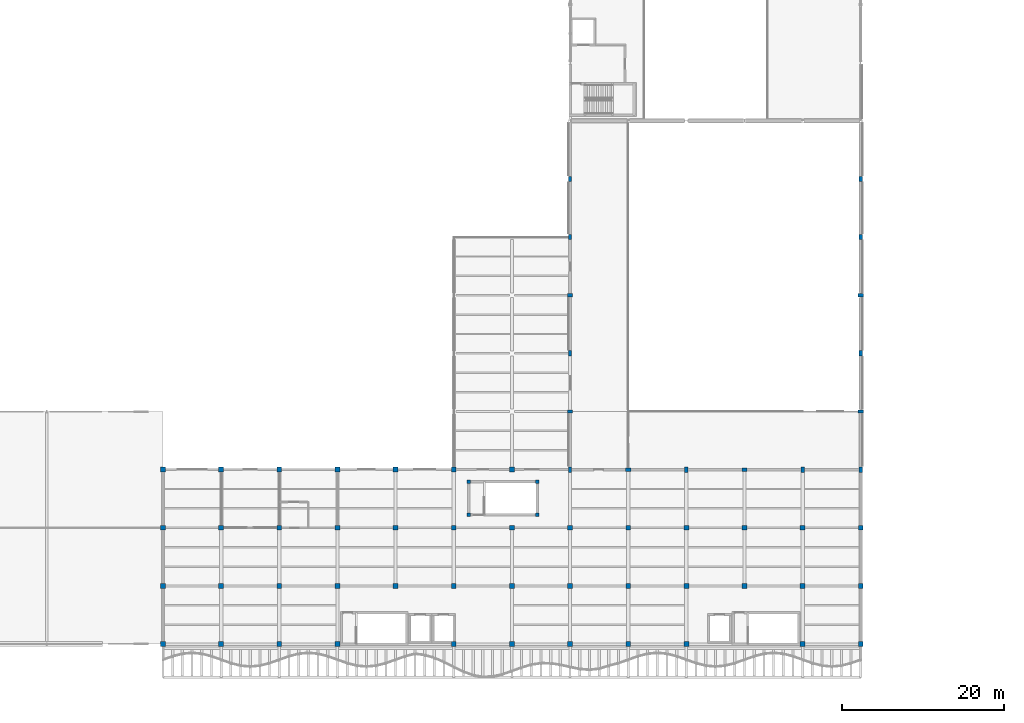
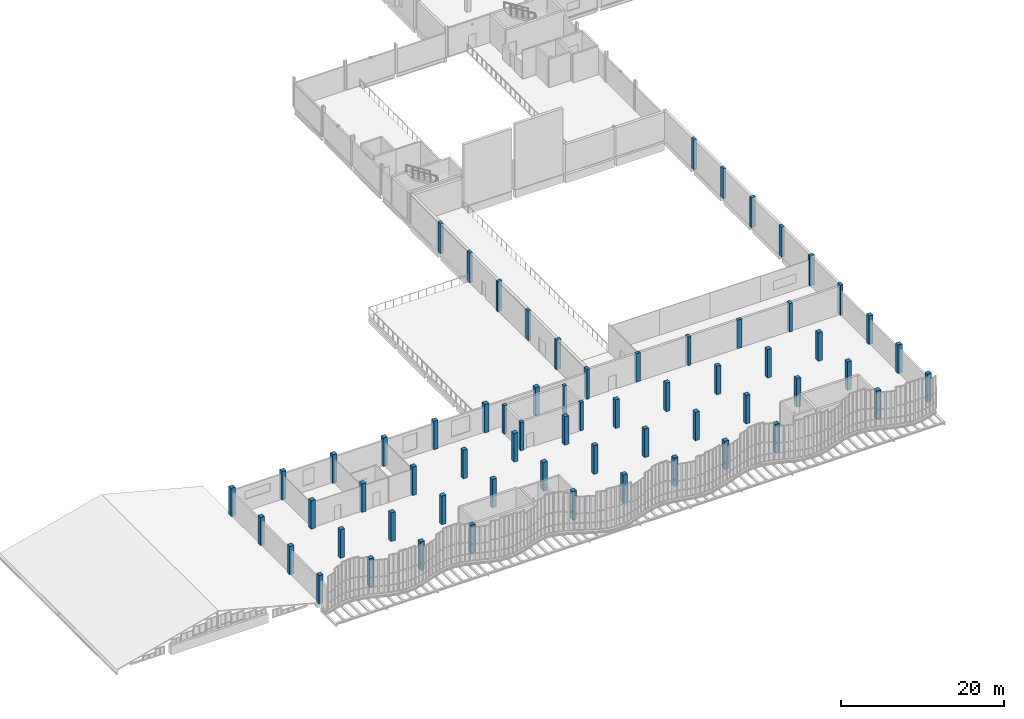
# One storey, part 1 of 76: 64 columns.
"""IFC4 building model written with IfcOpenShell, lengths in metres."""

from ifc_helpers import new_model, si_unit, direction, frame, origin, origin_2d, place, context, subcontext, project, spatial, rectangle, extrude, material, material_profile, profile_set, type_object, element, save


model = new_model("IFC4")

# Units and contexts
model_context = context("Model", 3, precision=1e-05, world=origin(), true_north=direction((0.0, 1.0)))
body_context = subcontext(model_context, "Body", "Model", "MODEL_VIEW")
ifc_project = project(units=[si_unit("LENGTHUNIT", "METRE"), si_unit("AREAUNIT", "SQUARE_METRE"), si_unit("VOLUMEUNIT", "CUBIC_METRE"), si_unit("PLANEANGLEUNIT", "RADIAN"), si_unit("MASSUNIT", "GRAM", prefix="KILO"), si_unit("THERMODYNAMICTEMPERATUREUNIT", "KELVIN"), si_unit("POWERUNIT", "WATT")], contexts=[model_context])

# Site, building, storey
site_placement = place(None, origin())
site = spatial("IfcSite", under=ifc_project, at=site_placement, CompositionType="ELEMENT")
building_placement = place(site_placement, origin())
building = spatial("IfcBuilding", under=site, at=building_placement, Name="Kaldorven Railside Theatre", CompositionType="ELEMENT")
storey_placement = place(building_placement, frame((0.0, 0.0, 14.39990234375)))
storey = spatial("IfcBuildingStorey", under=building, at=storey_placement, Name="L03", CompositionType="ELEMENT", Elevation=14.39990234375)

# Columns
ifc_material_1 = material(Name="Architectural concrete C40/50", Category="concrete")
ifc_material_profile_1 = material_profile(ifc_material_1, rectangle(XDim=0.39990234375, YDim=0.64990234375, at=origin_2d()), Name="RC 400x650")
ifc_profile_set_1 = profile_set([ifc_material_profile_1], Name="Architectural concrete C40/50")
column_type_1 = type_object("IfcColumnType", Name="COL-PIER650", PredefinedType="PILASTER", material=ifc_profile_set_1)
column_placement = place(storey_placement, frame((87.199951171875, 40.800048828125, 0.0), z_axis=(0.0, 0.0, 1.0), x_axis=(1.0, 0.0, 0.0)))
element("IfcColumn", 1, at=column_placement, inside=storey, type_object=column_type_1, Name="L03 Column CG-L03-087-040", PredefinedType="PILASTER", context=body_context, shape_type="SweptSolid", body=[
    extrude(rectangle(XDim=0.39990234375, YDim=0.64990234375, at=origin_2d()), origin(), (0.0, 0.0, 1.0), 4.5),
])
for number, where, z_axis, x_axis, name in (
    (2, (94.39990234375, 40.800048828125, 0.0), (0.0, 0.0, 1.0), (0.0, 1.0, 0.0), "L03 Column CG-L03-094-040"),
    (3, (101.60009765625, 40.800048828125, 0.0), (0.0, 0.0, 1.0), (1.0, 0.0, 0.0), "L03 Column CG-L03-101-040"),
    (4, (108.800048828125, 40.800048828125, 0.0), (0.0, 0.0, 1.0), (0.0, 1.0, 0.0), "L03 Column CG-L03-108-040"),
    (5, (116.0, 40.800048828125, 0.0), (0.0, 0.0, 1.0), (1.0, 0.0, 0.0), "L03 Column CG-L03-116-040"),
):
    element("IfcColumn", number, at=place(storey_placement, frame(where, z_axis=z_axis, x_axis=x_axis)), inside=storey, type_object=column_type_1, Name=name, PredefinedType="PILASTER", context=body_context, shape_type="SweptSolid", body=[
        extrude(rectangle(XDim=0.39990234375, YDim=0.64990234375, at=origin_2d()), origin(), (0.0, 0.0, 1.0), 4.280029296875),
    ])
for number, where, z_axis, x_axis, name in (
    (6, (123.199951171875, 40.800048828125, 0.0), (0.0, 0.0, 1.0), (1.0, 0.0, 0.0), "L03 Column CG-L03-123-040"),
    (7, (87.199951171875, 48.0, 0.0), (0.0, 0.0, 1.0), (0.0, 1.0, 0.0), "L03 Column CG-L03-087-048"),
    (8, (123.199951171875, 48.0, 0.0), (0.0, 0.0, 1.0), (0.0, 1.0, 0.0), "L03 Column CG-L03-123-048"),
    (9, (87.199951171875, 55.199951171875, 0.0), (0.0, 0.0, 1.0), (1.0, 0.0, 0.0), "L03 Column CG-L03-087-055"),
    (10, (123.199951171875, 55.199951171875, 0.0), (0.0, 0.0, 1.0), (1.0, 0.0, 0.0), "L03 Column CG-L03-123-055"),
    (11, (87.199951171875, 62.39990234375, 0.0), (0.0, 0.0, 1.0), (0.0, 1.0, 0.0), "L03 Column CG-L03-087-062"),
    (12, (123.199951171875, 62.39990234375, 0.0), (0.0, 0.0, 1.0), (0.0, 1.0, 0.0), "L03 Column CG-L03-123-062"),
    (13, (87.199951171875, 69.60009765625, 0.0), (0.0, 0.0, 1.0), (1.0, 0.0, 0.0), "L03 Column CG-L03-087-069"),
    (14, (123.199951171875, 69.60009765625, 0.0), (0.0, 0.0, 1.0), (1.0, 0.0, 0.0), "L03 Column CG-L03-123-069"),
    (15, (87.199951171875, 76.800048828125, 0.0), (0.0, 0.0, 1.0), (1.0, 0.0, 0.0), "L03 Column CG-L03-087-076"),
    (16, (123.199951171875, 76.800048828125, 0.0), (0.0, 0.0, 1.0), (1.0, 0.0, 0.0), "L03 Column CG-L03-123-076"),
):
    element("IfcColumn", number, at=place(storey_placement, frame(where, z_axis=z_axis, x_axis=x_axis)), inside=storey, type_object=column_type_1, Name=name, PredefinedType="PILASTER", context=body_context, shape_type="SweptSolid", body=[
        extrude(rectangle(XDim=0.39990234375, YDim=0.64990234375, at=origin_2d()), origin(), (0.0, 0.0, 1.0), 4.5),
    ])
ifc_material_2 = material(Name="Concrete C40/50", Category="concrete")
ifc_material_profile_2 = material_profile(ifc_material_2, rectangle(XDim=0.449951171875, YDim=0.449951171875, at=origin_2d()), Name="RC 450x450")
ifc_profile_set_2 = profile_set([ifc_material_profile_2], Name="Concrete C40/50")
column_type_2 = type_object("IfcColumnType", Name="COL-RC450", PredefinedType="COLUMN", material=ifc_profile_set_2)
for number, where, z_axis, x_axis, name in (
    (17, (74.64990234375, 35.199951171875, 0.0), (0.0, 0.0, 1.0), (1.0, 0.0, 0.0), "Core ST-07 L03 Boundary Column CCR-024"),
    (18, (83.14990234375, 35.199951171875, 0.0), (0.0, 0.0, 1.0), (1.0, 0.0, 0.0), "Core ST-07 L03 Boundary Column CCR-028"),
    (19, (83.14990234375, 39.300048828125, 0.0), (0.0, 0.0, 1.0), (1.0, 0.0, 0.0), "Core ST-07 L03 Boundary Column CCR-032"),
    (20, (74.64990234375, 39.300048828125, 0.0), (0.0, 0.0, 1.0), (1.0, 0.0, 0.0), "Core ST-07 L03 Boundary Column CCR-036"),
):
    element("IfcColumn", number, at=place(storey_placement, frame(where, z_axis=z_axis, x_axis=x_axis)), inside=storey, type_object=column_type_2, Name=name, PredefinedType="COLUMN", context=body_context, shape_type="SweptSolid", body=[
        extrude(rectangle(XDim=0.449951171875, YDim=0.449951171875, at=origin_2d()), origin(), (0.0, 0.0, 1.0), 4.280029296875),
    ])
ifc_material_profile_3 = material_profile(ifc_material_2, rectangle(XDim=0.60009765625, YDim=0.60009765625, at=origin_2d()), Name="RC 600x600")
ifc_profile_set_3 = profile_set([ifc_material_profile_3], Name="Concrete C40/50")
column_type_3 = type_object("IfcColumnType", Name="COL-RC600", PredefinedType="COLUMN", material=ifc_profile_set_3)
for number, where, z_axis, x_axis, name in (
    (21, (36.800048828125, 19.199951171875, 0.0), (0.0, 0.0, 1.0), (1.0, 0.0, 0.0), "L03 Column CG-L03-036-019"),
    (22, (44.0, 19.199951171875, 0.0), (0.0, 0.0, 1.0), (0.0, 1.0, 0.0), "L03 Column CG-L03-044-019"),
    (23, (51.199951171875, 19.199951171875, 0.0), (0.0, 0.0, 1.0), (1.0, 0.0, 0.0), "L03 Column CG-L03-051-019"),
    (24, (58.39990234375, 19.199951171875, 0.0), (0.0, 0.0, 1.0), (0.0, 1.0, 0.0), "L03 Column CG-L03-058-019"),
    (25, (72.800048828125, 19.199951171875, 0.0), (0.0, 0.0, 1.0), (1.0, 0.0, 0.0), "L03 Column CG-L03-072-019"),
    (26, (80.0, 19.199951171875, 0.0), (0.0, 0.0, 1.0), (0.0, 1.0, 0.0), "L03 Column CG-L03-080-019"),
    (27, (87.199951171875, 19.199951171875, 0.0), (0.0, 0.0, 1.0), (1.0, 0.0, 0.0), "L03 Column CG-L03-087-019"),
    (28, (94.39990234375, 19.199951171875, 0.0), (0.0, 0.0, 1.0), (0.0, 1.0, 0.0), "L03 Column CG-L03-094-019"),
    (29, (101.60009765625, 19.199951171875, 0.0), (0.0, 0.0, 1.0), (1.0, 0.0, 0.0), "L03 Column CG-L03-101-019"),
    (30, (116.0, 19.199951171875, 0.0), (0.0, 0.0, 1.0), (0.0, 1.0, 0.0), "L03 Column CG-L03-116-019"),
    (31, (123.199951171875, 19.199951171875, 0.0), (0.0, 0.0, 1.0), (1.0, 0.0, 0.0), "L03 Column CG-L03-123-019"),
    (32, (36.800048828125, 26.39990234375, 0.0), (0.0, 0.0, 1.0), (0.0, 1.0, 0.0), "L03 Column CG-L03-036-026"),
    (33, (44.0, 26.39990234375, 0.0), (0.0, 0.0, 1.0), (1.0, 0.0, 0.0), "L03 Column CG-L03-044-026"),
    (34, (51.199951171875, 26.39990234375, 0.0), (0.0, 0.0, 1.0), (0.0, 1.0, 0.0), "L03 Column CG-L03-051-026"),
    (35, (58.39990234375, 26.39990234375, 0.0), (0.0, 0.0, 1.0), (1.0, 0.0, 0.0), "L03 Column CG-L03-058-026"),
    (36, (65.60009765625, 26.39990234375, 0.0), (0.0, 0.0, 1.0), (1.0, 0.0, 0.0), "L03 Column CG-L03-065-026"),
    (37, (72.800048828125, 26.39990234375, 0.0), (0.0, 0.0, 1.0), (0.0, 1.0, 0.0), "L03 Column CG-L03-072-026"),
    (38, (80.0, 26.39990234375, 0.0), (0.0, 0.0, 1.0), (1.0, 0.0, 0.0), "L03 Column CG-L03-080-026"),
    (39, (87.199951171875, 26.39990234375, 0.0), (0.0, 0.0, 1.0), (0.0, 1.0, 0.0), "L03 Column CG-L03-087-026"),
    (40, (94.39990234375, 26.39990234375, 0.0), (0.0, 0.0, 1.0), (1.0, 0.0, 0.0), "L03 Column CG-L03-094-026"),
    (41, (101.60009765625, 26.39990234375, 0.0), (0.0, 0.0, 1.0), (1.0, 0.0, 0.0), "L03 Column CG-L03-101-026"),
    (42, (108.800048828125, 26.39990234375, 0.0), (0.0, 0.0, 1.0), (0.0, 1.0, 0.0), "L03 Column CG-L03-108-026"),
    (43, (116.0, 26.39990234375, 0.0), (0.0, 0.0, 1.0), (1.0, 0.0, 0.0), "L03 Column CG-L03-116-026"),
    (44, (123.199951171875, 26.39990234375, 0.0), (0.0, 0.0, 1.0), (0.0, 1.0, 0.0), "L03 Column CG-L03-123-026"),
    (45, (36.800048828125, 33.60009765625, 0.0), (0.0, 0.0, 1.0), (1.0, 0.0, 0.0), "L03 Column CG-L03-036-033"),
    (46, (44.0, 33.60009765625, 0.0), (0.0, 0.0, 1.0), (0.0, 1.0, 0.0), "L03 Column CG-L03-044-033"),
    (47, (51.199951171875, 33.60009765625, 0.0), (0.0, 0.0, 1.0), (1.0, 0.0, 0.0), "L03 Column CG-L03-051-033"),
    (48, (58.39990234375, 33.60009765625, 0.0), (0.0, 0.0, 1.0), (1.0, 0.0, 0.0), "L03 Column CG-L03-058-033"),
    (49, (65.60009765625, 33.60009765625, 0.0), (0.0, 0.0, 1.0), (0.0, 1.0, 0.0), "L03 Column CG-L03-065-033"),
    (50, (72.800048828125, 33.60009765625, 0.0), (0.0, 0.0, 1.0), (1.0, 0.0, 0.0), "L03 Column CG-L03-072-033"),
    (51, (80.0, 33.60009765625, 0.0), (0.0, 0.0, 1.0), (0.0, 1.0, 0.0), "L03 Column CG-L03-080-033"),
    (52, (87.199951171875, 33.60009765625, 0.0), (0.0, 0.0, 1.0), (1.0, 0.0, 0.0), "L03 Column CG-L03-087-033"),
    (53, (94.39990234375, 33.60009765625, 0.0), (0.0, 0.0, 1.0), (1.0, 0.0, 0.0), "L03 Column CG-L03-094-033"),
    (54, (101.60009765625, 33.60009765625, 0.0), (0.0, 0.0, 1.0), (0.0, 1.0, 0.0), "L03 Column CG-L03-101-033"),
    (55, (108.800048828125, 33.60009765625, 0.0), (0.0, 0.0, 1.0), (1.0, 0.0, 0.0), "L03 Column CG-L03-108-033"),
    (56, (116.0, 33.60009765625, 0.0), (0.0, 0.0, 1.0), (0.0, 1.0, 0.0), "L03 Column CG-L03-116-033"),
    (57, (123.199951171875, 33.60009765625, 0.0), (0.0, 0.0, 1.0), (1.0, 0.0, 0.0), "L03 Column CG-L03-123-033"),
    (58, (36.800048828125, 40.800048828125, 0.0), (0.0, 0.0, 1.0), (0.0, 1.0, 0.0), "L03 Column CG-L03-036-040"),
    (59, (44.0, 40.800048828125, 0.0), (0.0, 0.0, 1.0), (1.0, 0.0, 0.0), "L03 Column CG-L03-044-040"),
    (60, (51.199951171875, 40.800048828125, 0.0), (0.0, 0.0, 1.0), (1.0, 0.0, 0.0), "L03 Column CG-L03-051-040"),
    (61, (58.39990234375, 40.800048828125, 0.0), (0.0, 0.0, 1.0), (0.0, 1.0, 0.0), "L03 Column CG-L03-058-040"),
    (62, (65.60009765625, 40.800048828125, 0.0), (0.0, 0.0, 1.0), (1.0, 0.0, 0.0), "L03 Column CG-L03-065-040"),
    (63, (72.800048828125, 40.800048828125, 0.0), (0.0, 0.0, 1.0), (0.0, 1.0, 0.0), "L03 Column CG-L03-072-040"),
    (64, (80.0, 40.800048828125, 0.0), (0.0, 0.0, 1.0), (1.0, 0.0, 0.0), "L03 Column CG-L03-080-040"),
):
    element("IfcColumn", number, at=place(storey_placement, frame(where, z_axis=z_axis, x_axis=x_axis)), inside=storey, type_object=column_type_3, Name=name, PredefinedType="COLUMN", context=body_context, shape_type="SweptSolid", body=[
        extrude(rectangle(XDim=0.60009765625, YDim=0.60009765625, at=origin_2d()), origin(), (0.0, 0.0, 1.0), 4.280029296875),
    ])

save(model, "model.ifc")
